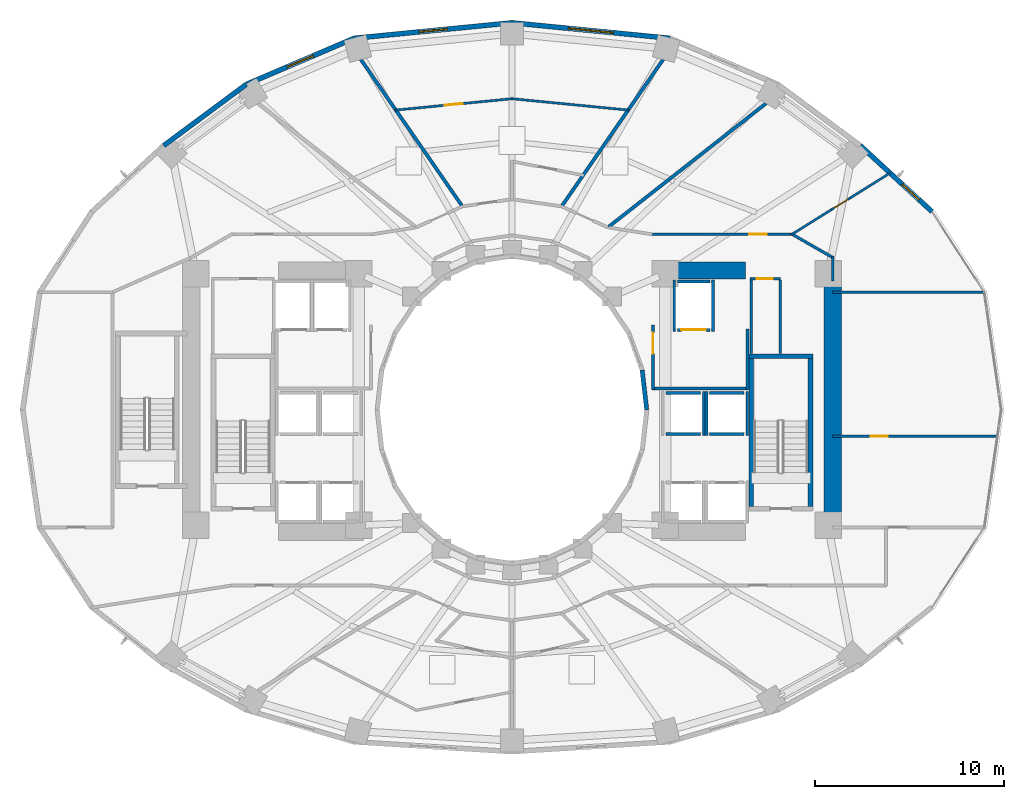
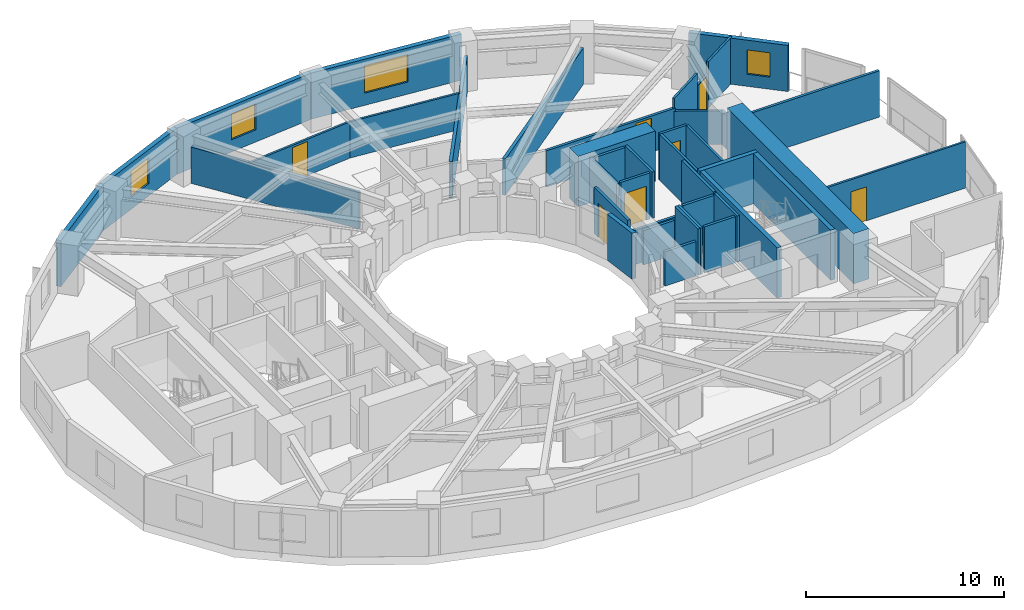
# One storey, part 10 of 14: 41 walls, 7 doors, 4 windows, 11 openings.
"""IFC4 building model written with IfcOpenShell, lengths in metres."""

from ifc_helpers import new_model, si_unit, direction, frame, frame_2d, origin, place, context, subcontext, project, spatial, rectangle, extrude, material, layer, layer_set, type_object, element, fill, save


model = new_model("IFC4")

# Units and contexts
model_context = context("Model", 3, precision=1e-05, world=origin(), true_north=direction((0.0, 1.0)))
body_context = subcontext(model_context, "Body", "Model", "MODEL_VIEW")
ifc_project = project(units=[si_unit("LENGTHUNIT", "METRE"), si_unit("AREAUNIT", "SQUARE_METRE"), si_unit("VOLUMEUNIT", "CUBIC_METRE"), si_unit("PLANEANGLEUNIT", "RADIAN"), si_unit("MASSUNIT", "GRAM", prefix="KILO")], contexts=[model_context])

# Site, building, storey
site_placement = place(None, origin())
site = spatial("IfcSite", under=ifc_project, at=site_placement, CompositionType="ELEMENT")
building_placement = place(site_placement, origin())
building = spatial("IfcBuilding", under=site, at=building_placement, Name="Solvane Sanctuary Tower", CompositionType="ELEMENT")
storey_placement = place(building_placement, frame((0.0, 0.0, 36.89990234375)))
storey = spatial("IfcBuildingStorey", under=building, at=storey_placement, Name="L10", CompositionType="ELEMENT", Elevation=36.89990234375)

# Walls
ifc_material_1 = material(Name="Concrete C70/85", Category="concrete")
ifc_layer_1 = layer(ifc_material_1, 0.89990234375, Name="Concrete C70/85")
ifc_layer_set_1 = layer_set([ifc_layer_1], Name="Concrete C70/85")
wall_type_1 = type_object("IfcWallType", Name="Wall W-CORE-900", PredefinedType="SHEAR", material=ifc_layer_set_1)
wall_1_placement = place(storey_placement, frame((48.949951171875, 17.050048828125, 0.0), z_axis=(0.0, 0.0, 1.0), x_axis=(0.0, 1.0, 0.0)))
element("IfcWall", 1, at=wall_1_placement, inside=storey, type_object=wall_type_1, Name="L10 Core Shear Wall EC-E", PredefinedType="SHEAR", context=body_context, shape_type="SweptSolid", body=[
    extrude(rectangle(XDim=12.800048828125, YDim=0.89990234375, at=frame_2d((6.39990234375, 0.0))), origin(), (0.0, 0.0, 1.0), 3.10009765625),
])
wall_2_placement = place(storey_placement, frame((39.85009765625, 30.35009765625, 0.0), z_axis=(0.0, 0.0, 1.0), x_axis=(1.0, 0.0, 0.0)))
element("IfcWall", 2, at=wall_2_placement, inside=storey, type_object=wall_type_1, Name="L10 Core Shear Wall EC-N", PredefinedType="SHEAR", context=body_context, shape_type="SweptSolid", body=[
    extrude(rectangle(XDim=4.5, YDim=0.89990234375, at=frame_2d((2.25, 0.0))), origin(), (0.0, 0.0, 1.0), 3.10009765625),
])
ifc_material_2 = material(Name="Acoustic Gypsum Partition Board")
ifc_layer_2 = layer(ifc_material_2, 0.14990234375, Name="Acoustic Gypsum Partition Board")
ifc_layer_set_2 = layer_set([ifc_layer_2], Name="Acoustic Gypsum Partition Board")
wall_type_2 = type_object("IfcWallType", Name="Wall W-CORR-150", PredefinedType="PARTITIONING", material=ifc_layer_set_2)
wall_3_placement = place(storey_placement, frame((39.39990234375, 24.1201171875, 0.0), z_axis=(0.0, 0.0, 1.0), x_axis=(1.0, 0.0, 0.0)))
element("IfcWall", 3, at=wall_3_placement, inside=storey, type_object=wall_type_2, Name="L10 East Firefighting Lobby South Wall", PredefinedType="PARTITIONING", context=body_context, shape_type="SweptSolid", body=[
    extrude(rectangle(XDim=5.080078125, YDim=0.14990234375, at=frame_2d((2.5400390625, 0.0))), origin(), (0.0, 0.0, 1.0), 2.1201171875),
])
wall_4_placement = place(storey_placement, frame((44.449951171875, 24.080078125, 0.0), z_axis=(0.0, 0.0, 1.0), x_axis=(0.0, 1.0, 0.0)))
element("IfcWall", 4, at=wall_4_placement, inside=storey, type_object=wall_type_2, Name="L10 East Firefighting Lobby East Wall", PredefinedType="PARTITIONING", context=body_context, shape_type="SweptSolid", body=[
    extrude(rectangle(XDim=3.199951171875, YDim=0.14990234375, at=frame_2d((1.60009765625, 0.0))), origin(), (0.0, 0.0, 1.0), 2.85498046875),
])

# Wall, opening, door
wall_5_placement = place(storey_placement, frame((39.449951171875, 24.080078125, 0.0), z_axis=(0.0, 0.0, 1.0), x_axis=(0.0, 1.0, 0.0)))
wall_5 = element("IfcWall", 5, at=wall_5_placement, inside=storey, type_object=wall_type_2, Name="L10 East Firefighting Lobby West Wall", PredefinedType="PARTITIONING", context=body_context, shape_type="SweptSolid", body=[
    extrude(rectangle(XDim=3.39990234375, YDim=0.14990234375, at=frame_2d((1.699951171875, 0.0))), origin(), (0.0, 0.0, 1.0), 2.85498046875),
])
opening_1_placement = place(wall_5_placement, frame((1.893798828125, 0.0, 0.0)))
opening_1 = element("IfcOpeningElement", 6, at=opening_1_placement, cuts=wall_5, Name="Opening D-L10-05", PredefinedType="OPENING", context=body_context, shape_type="SweptSolid", body=[
    extrude(rectangle(XDim=1.10009765625, YDim=2.10009765625, at=frame_2d((0.550048828125, 1.050048828125))), frame((0.0, 0.0849609375, 0.0), z_axis=(0.0, -1.0, 0.0), x_axis=(1.0, 0.0, 0.0)), (0.0, 0.0, 1.0), 0.169921875),
])
ifc_material_3 = material(Name="Architectural Stainless Steel 316", Category="steel")
door_type_1 = type_object("IfcDoorType", Name="Door D-FFL", OperationType="NOTDEFINED", PredefinedType="DOOR", material=ifc_material_3)
door_1_placement = place(opening_1_placement, origin())
door_1 = element("IfcDoor", 7, at=door_1_placement, inside=storey, type_object=door_type_1, Name="L10 East Firefighting Lobby Fire Door", OperationType="SINGLE_SWING_LEFT", OverallHeight=2.10009765625, OverallWidth=1.10009765625, PredefinedType="DOOR", context=body_context, shape_type="SweptSolid", body=[
    extrude(rectangle(XDim=1.10009765625, YDim=2.10009765625, at=frame_2d((0.550048828125, 1.050048828125))), frame((0.0, 0.02490234375, 0.0), z_axis=(0.0, -1.0, 0.0), x_axis=(1.0, 0.0, 0.0)), (0.0, 0.0, 1.0), 0.050048828125),
])
fill(opening_1, door_1)

# Walls
wall_6_placement = place(storey_placement, frame((48.949951171875, 29.211669921875, 0.0), z_axis=(0.0, 0.0, 1.0), x_axis=(1.0, 0.0, 0.0)))
element("IfcWall", 8, at=wall_6_placement, inside=storey, type_object=wall_type_2, Name="L10 East Shoulder North Wall", PredefinedType="PARTITIONING", context=body_context, shape_type="SweptSolid", body=[
    extrude(rectangle(XDim=8.036376953125, YDim=0.14990234375, at=frame_2d((4.01806640625, 0.0))), origin(), (0.0, 0.0, 1.0), 2.85498046875),
])
wall_7_placement = place(storey_placement, frame((48.949951171875, 29.800048828125, 0.0), z_axis=(0.0, 0.0, 1.0), x_axis=(0.0, 1.0, 0.0)))
element("IfcWall", 9, at=wall_7_placement, inside=storey, type_object=wall_type_2, Name="L10 NE Corner Closer 1", PredefinedType="PARTITIONING", context=body_context, shape_type="SweptSolid", body=[
    extrude(rectangle(XDim=1.2900390625, YDim=0.14990234375, at=frame_2d((0.64501953125, 0.0))), origin(), (0.0, 0.0, 1.0), 2.069091796875),
])

# Wall, opening, door
wall_8_placement = place(storey_placement, frame((39.330078125, 32.280029296875, 0.0), z_axis=(0.0, 0.0, 1.0), x_axis=(1.0, 0.0, 0.0)))
wall_8 = element("IfcWall", 10, at=wall_8_placement, inside=storey, type_object=wall_type_2, Name="L10 NE Corner Corridor Wall", PredefinedType="PARTITIONING", context=body_context, shape_type="SweptSolid", body=[
    extrude(rectangle(XDim=7.52001953125, YDim=0.14990234375, at=frame_2d((3.760009765625, 0.0))), origin(), (0.0, 0.0, 1.0), 2.237060546875),
])
opening_2_placement = place(wall_8_placement, frame((5.219970703125, 0.0, 0.0)))
opening_2 = element("IfcOpeningElement", 11, at=opening_2_placement, cuts=wall_8, Name="Opening D-L10-12", PredefinedType="OPENING", context=body_context, shape_type="SweptSolid", body=[
    extrude(rectangle(XDim=0.89990234375, YDim=2.10009765625, at=frame_2d((0.449951171875, 1.050048828125))), frame((0.0, 0.0849609375, 0.0), z_axis=(0.0, -1.0, 0.0), x_axis=(1.0, 0.0, 0.0)), (0.0, 0.0, 1.0), 0.169921875),
])
ifc_material_4 = material(Name="Engineered Tropical Hardwood", Category="wood")
door_type_2 = type_object("IfcDoorType", Name="Door D-WET-900", OperationType="NOTDEFINED", PredefinedType="DOOR", material=ifc_material_4)
door_2_placement = place(opening_2_placement, origin())
door_2 = element("IfcDoor", 12, at=door_2_placement, inside=storey, type_object=door_type_2, Name="L10 NE Corner Salon Door", OperationType="SINGLE_SWING_RIGHT", OverallHeight=2.10009765625, OverallWidth=0.89990234375, PredefinedType="DOOR", context=body_context, shape_type="SweptSolid", body=[
    extrude(rectangle(XDim=0.89990234375, YDim=2.10009765625, at=frame_2d((0.449951171875, 1.050048828125))), frame((0.0, 0.02490234375, 0.0), z_axis=(0.0, -1.0, 0.0), x_axis=(1.0, 0.0, 0.0)), (0.0, 0.0, 1.0), 0.050048828125),
])
fill(opening_2, door_2)

# Wall
wall_9_placement = place(storey_placement, frame((46.756591796875, 32.3046875, 0.0), z_axis=(0.0, 0.0, 1.0), x_axis=(0.867991349648, -0.496579315857, 0.0)))
element("IfcWall", 13, at=wall_9_placement, inside=storey, type_object=wall_type_2, Name="L10 NE Corner Wing Wall", PredefinedType="PARTITIONING", context=body_context, shape_type="SweptSolid", body=[
    extrude(rectangle(XDim=2.56689453125, YDim=0.14990234375, at=frame_2d((1.283447265625, 0.0))), origin(), (0.0, 0.0, 1.0), 2.069091796875),
])

# Wall, opening, window
ifc_material_5 = material(Name="Precast concrete C40/50", Category="concrete")
ifc_layer_3 = layer(ifc_material_5, 0.260009765625, Name="Precast concrete C40/50")
ifc_layer_set_3 = layer_set([ifc_layer_3], Name="Precast concrete C40/50")
wall_type_3 = type_object("IfcWallType", Name="Wall W-EXT-250", PredefinedType="STANDARD", material=ifc_layer_set_3)
wall_10_placement = place(storey_placement, frame((54.19384765625, 33.4755859375, 0.0), z_axis=(0.0, 0.0, 1.0), x_axis=(-0.735655109293, 0.67735630223, 0.0)))
wall_10 = element("IfcWall", 14, at=wall_10_placement, inside=storey, type_object=wall_type_3, Name="L10 Ceramic-Printed Facade Wall 02", PredefinedType="STANDARD", context=body_context, shape_type="SweptSolid", body=[
    extrude(rectangle(XDim=5.15087890625, YDim=0.260009765625, at=frame_2d((2.575439453125, 0.0))), origin(), (0.0, 0.0, 1.0), 2.85009765625),
])
opening_3_placement = place(wall_10_placement, frame((0.9287109375, 0.0, 0.75)))
opening_3 = element("IfcOpeningElement", 15, at=opening_3_placement, cuts=wall_10, Name="Opening WN-OPER-1200", PredefinedType="OPENING", context=body_context, shape_type="SweptSolid", body=[
    extrude(rectangle(XDim=1.199951171875, YDim=1.5, at=frame_2d((0.60009765625, 0.75))), frame((0.0, 0.139892578125, 0.0), z_axis=(0.0, -1.0, 0.0), x_axis=(1.0, 0.0, 0.0)), (0.0, 0.0, 1.0), 0.280029296875),
])
ifc_material_6 = material(Name="Dark Ceramic-Fritted Low-E Glass", Category="glass")
window_type_1 = type_object("IfcWindowType", Name="Window WN-OPER-1200", PartitioningType="SINGLE_PANEL", PredefinedType="WINDOW", material=ifc_material_6)
window_1_placement = place(opening_3_placement, origin())
window_1 = element("IfcWindow", 16, at=window_1_placement, inside=storey, type_object=window_type_1, Name="L10 Operable Facade Window 02", OverallHeight=1.5, OverallWidth=1.199951171875, PartitioningType="SINGLE_PANEL", PredefinedType="WINDOW", context=body_context, shape_type="SweptSolid", body=[
    extrude(rectangle(XDim=1.199951171875, YDim=1.5, at=frame_2d((0.60009765625, 0.75))), frame((0.0, 0.030029296875, 0.0), z_axis=(0.0, -1.0, 0.0), x_axis=(1.0, 0.0, 0.0)), (0.0, 0.0, 1.0), 0.06005859375),
])
fill(opening_3, window_1)

wall_11_placement = place(storey_placement, frame((40.331787109375, 42.63623046875, 0.0), z_axis=(0.0, 0.0, 1.0), x_axis=(-0.995247718352, 0.097375454379, 0.0)))
wall_11 = element("IfcWall", 17, at=wall_11_placement, inside=storey, type_object=wall_type_3, Name="L10 Ceramic-Printed Facade Wall 05", PredefinedType="STANDARD", context=body_context, shape_type="SweptSolid", body=[
    extrude(rectangle(XDim=8.37158203125, YDim=0.260009765625, at=frame_2d((4.185791015625, 0.0))), origin(), (0.0, 0.0, 1.0), 2.85009765625),
])
opening_4_placement = place(wall_11_placement, frame((2.985595703125, 0.0, 0.75)))
opening_4 = element("IfcOpeningElement", 18, at=opening_4_placement, cuts=wall_11, Name="Opening WN-RIB-2400", PredefinedType="OPENING", context=body_context, shape_type="SweptSolid", body=[
    extrude(rectangle(XDim=2.39990234375, YDim=1.699951171875, at=frame_2d((1.199951171875, 0.85009765625))), frame((0.0, 0.139892578125, 0.0), z_axis=(0.0, -1.0, 0.0), x_axis=(1.0, 0.0, 0.0)), (0.0, 0.0, 1.0), 0.280029296875),
])
window_type_2 = type_object("IfcWindowType", Name="Window WN-RIB-2400", PartitioningType="SINGLE_PANEL", PredefinedType="WINDOW", material=ifc_material_6)
window_2_placement = place(opening_4_placement, origin())
window_2 = element("IfcWindow", 19, at=window_2_placement, inside=storey, type_object=window_type_2, Name="L10 Operable Facade Window 05", OverallHeight=1.699951171875, OverallWidth=2.39990234375, PartitioningType="SINGLE_PANEL", PredefinedType="WINDOW", context=body_context, shape_type="SweptSolid", body=[
    extrude(rectangle(XDim=2.39990234375, YDim=1.699951171875, at=frame_2d((1.199951171875, 0.85009765625))), frame((0.0, 0.030029296875, 0.0), z_axis=(0.0, -1.0, 0.0), x_axis=(1.0, 0.0, 0.0)), (0.0, 0.0, 1.0), 0.06005859375),
])
fill(opening_4, window_2)

wall_12_placement = place(storey_placement, frame((32.0, 43.451416015625, 0.0), z_axis=(0.0, 0.0, 1.0), x_axis=(-0.995247718352, -0.097375454379, 0.0)))
wall_12 = element("IfcWall", 20, at=wall_12_placement, inside=storey, type_object=wall_type_3, Name="L10 Ceramic-Printed Facade Wall 06", PredefinedType="STANDARD", context=body_context, shape_type="SweptSolid", body=[
    extrude(rectangle(XDim=8.37158203125, YDim=0.260009765625, at=frame_2d((4.185791015625, 0.0))), origin(), (0.0, 0.0, 1.0), 2.85009765625),
])
opening_5_placement = place(wall_12_placement, frame((3.435791015625, 0.0, 0.75)))
opening_5 = element("IfcOpeningElement", 21, at=opening_5_placement, cuts=wall_12, Name="Opening WN-OPER-1500", PredefinedType="OPENING", context=body_context, shape_type="SweptSolid", body=[
    extrude(rectangle(XDim=1.5, YDim=1.60009765625, at=frame_2d((0.75, 0.800048828125))), frame((0.0, 0.139892578125, 0.0), z_axis=(0.0, -1.0, 0.0), x_axis=(1.0, 0.0, 0.0)), (0.0, 0.0, 1.0), 0.280029296875),
])
window_type_3 = type_object("IfcWindowType", Name="Window WN-OPER-1500", PartitioningType="SINGLE_PANEL", PredefinedType="WINDOW", material=ifc_material_6)
window_3_placement = place(opening_5_placement, origin())
window_3 = element("IfcWindow", 22, at=window_3_placement, inside=storey, type_object=window_type_3, Name="L10 Operable Facade Window 06", OverallHeight=1.60009765625, OverallWidth=1.5, PartitioningType="SINGLE_PANEL", PredefinedType="WINDOW", context=body_context, shape_type="SweptSolid", body=[
    extrude(rectangle(XDim=1.5, YDim=1.60009765625, at=frame_2d((0.75, 0.800048828125))), frame((0.0, 0.030029296875, 0.0), z_axis=(0.0, -1.0, 0.0), x_axis=(1.0, 0.0, 0.0)), (0.0, 0.0, 1.0), 0.06005859375),
])
fill(opening_5, window_3)

wall_13_placement = place(storey_placement, frame((23.668212890625, 42.63623046875, 0.0), z_axis=(0.0, 0.0, 1.0), x_axis=(-0.919612132394, -0.39282760335, 0.0)))
wall_13 = element("IfcWall", 23, at=wall_13_placement, inside=storey, type_object=wall_type_3, Name="L10 Ceramic-Printed Facade Wall 07", PredefinedType="STANDARD", context=body_context, shape_type="SweptSolid", body=[
    extrude(rectangle(XDim=6.20947265625, YDim=0.260009765625, at=frame_2d((3.104736328125, 0.0))), origin(), (0.0, 0.0, 1.0), 2.85009765625),
])
opening_6_placement = place(wall_13_placement, frame((2.354736328125, 0.0, 0.75)))
opening_6 = element("IfcOpeningElement", 24, at=opening_6_placement, cuts=wall_13, Name="Opening WN-OPER-1500", PredefinedType="OPENING", context=body_context, shape_type="SweptSolid", body=[
    extrude(rectangle(XDim=1.5, YDim=1.60009765625, at=frame_2d((0.75, 0.800048828125))), frame((0.0, 0.139892578125, 0.0), z_axis=(0.0, -1.0, 0.0), x_axis=(1.0, 0.0, 0.0)), (0.0, 0.0, 1.0), 0.280029296875),
])
window_4_placement = place(opening_6_placement, origin())
window_4 = element("IfcWindow", 25, at=window_4_placement, inside=storey, type_object=window_type_3, Name="L10 Operable Facade Window 07", OverallHeight=1.60009765625, OverallWidth=1.5, PartitioningType="SINGLE_PANEL", PredefinedType="WINDOW", context=body_context, shape_type="SweptSolid", body=[
    extrude(rectangle(XDim=1.5, YDim=1.60009765625, at=frame_2d((0.75, 0.800048828125))), frame((0.0, 0.030029296875, 0.0), z_axis=(0.0, -1.0, 0.0), x_axis=(1.0, 0.0, 0.0)), (0.0, 0.0, 1.0), 0.06005859375),
])
fill(opening_6, window_4)

# Walls
wall_14_placement = place(storey_placement, frame((17.9580078125, 40.197021484375, 0.0), z_axis=(0.0, 0.0, 1.0), x_axis=(-0.803477531792, -0.595335078679, 0.0)))
element("IfcWall", 26, at=wall_14_placement, inside=storey, type_object=wall_type_3, Name="L10 Ceramic-Printed Facade Wall 08", PredefinedType="STANDARD", context=body_context, shape_type="SweptSolid", body=[
    extrude(rectangle(XDim=5.4296875, YDim=0.260009765625, at=frame_2d((2.71484375, 0.0))), origin(), (0.0, 0.0, 1.0), 2.85009765625),
])
ifc_layer_4 = layer(ifc_material_5, 0.22998046875, Name="Precast concrete C40/50")
ifc_layer_set_4 = layer_set([ifc_layer_4], Name="Precast concrete C40/50")
wall_type_4 = type_object("IfcWallType", Name="Wall W-EXT-SP220", PredefinedType="STANDARD", material=ifc_layer_set_4)
wall_15_placement = place(storey_placement, frame((39.1201171875, 23.0, 0.0), z_axis=(0.0, 0.0, 1.0), x_axis=(-0.114711713601, 0.993398823617, 0.0)))
element("IfcWall", 27, at=wall_15_placement, inside=storey, type_object=wall_type_4, Name="L10 Central Light-Well Wall 00", PredefinedType="STANDARD", context=body_context, shape_type="SweptSolid", body=[
    extrude(rectangle(XDim=2.115478515625, YDim=0.22998046875, at=frame_2d((1.0576171875, 0.0))), origin(), (0.0, 0.0, 1.0), 2.840087890625),
])

# Wall, opening, door
ifc_layer_5 = layer(ifc_material_2, 0.1201171875, Name="Acoustic Gypsum Partition Board")
ifc_layer_set_5 = layer_set([ifc_layer_5], Name="Acoustic Gypsum Partition Board")
wall_type_5 = type_object("IfcWallType", Name="Wall W-MOV-100", PredefinedType="MOVABLE", material=ifc_layer_set_5)
wall_16_placement = place(storey_placement, frame((48.949951171875, 21.60009765625, 0.0), z_axis=(0.0, 0.0, 1.0), x_axis=(1.0, 0.0, 0.0)))
wall_16 = element("IfcWall", 28, at=wall_16_placement, inside=storey, type_object=wall_type_5, Name="L10 East Suite Partition", PredefinedType="MOVABLE", context=body_context, shape_type="SweptSolid", body=[
    extrude(rectangle(XDim=8.668701171875, YDim=0.1201171875, at=frame_2d((4.33447265625, 0.0))), origin(), (0.0, 0.0, 1.0), 2.85498046875),
])
opening_7_placement = place(wall_16_placement, frame((2.0, 0.0, 0.0)))
opening_7 = element("IfcOpeningElement", 29, at=opening_7_placement, cuts=wall_16, Name="Opening D-L10-09", PredefinedType="OPENING", context=body_context, shape_type="SweptSolid", body=[
    extrude(rectangle(XDim=0.89990234375, YDim=2.10009765625, at=frame_2d((0.449951171875, 1.050048828125))), frame((0.0, 0.070068359375, 0.0), z_axis=(0.0, -1.0, 0.0), x_axis=(1.0, 0.0, 0.0)), (0.0, 0.0, 1.0), 0.14013671875),
])
door_3_placement = place(opening_7_placement, origin())
door_3 = element("IfcDoor", 30, at=door_3_placement, inside=storey, type_object=door_type_2, Name="L10 East Suite Internal Door", OperationType="SINGLE_SWING_LEFT", OverallHeight=2.10009765625, OverallWidth=0.89990234375, PredefinedType="DOOR", context=body_context, shape_type="SweptSolid", body=[
    extrude(rectangle(XDim=0.89990234375, YDim=2.10009765625, at=frame_2d((0.449951171875, 1.050048828125))), frame((0.0, 0.02490234375, 0.0), z_axis=(0.0, -1.0, 0.0), x_axis=(1.0, 0.0, 0.0)), (0.0, 0.0, 1.0), 0.050048828125),
])
fill(opening_7, door_3)

# Wall
wall_17_placement = place(storey_placement, frame((46.757568359375, 32.25341796875, 0.0), z_axis=(0.0, 0.0, 1.0), x_axis=(0.848408422278, 0.529342185177, 0.0)))
element("IfcWall", 31, at=wall_17_placement, inside=storey, type_object=wall_type_5, Name="L10 NE Corner Suite Partition", PredefinedType="MOVABLE", context=body_context, shape_type="SweptSolid", body=[
    extrude(rectangle(XDim=2.506591796875, YDim=0.1201171875, at=frame_2d((1.25341796875, 0.0))), origin(), (0.0, 0.0, 1.0), 2.85498046875),
])

# Wall, opening, door
wall_18_placement = place(storey_placement, frame((48.88427734375, 33.580322265625, 0.0), z_axis=(0.0, 0.0, 1.0), x_axis=(0.848396621262, 0.529361098903, 0.0)))
wall_18 = element("IfcWall", 32, at=wall_18_placement, inside=storey, type_object=wall_type_5, Name="L10 NE Corner Suite Partition", PredefinedType="MOVABLE", context=body_context, shape_type="SweptSolid", body=[
    extrude(rectangle(XDim=1.170166015625, YDim=0.1201171875, at=frame_2d((0.5849609375, 0.0))), origin(), (0.0, 0.0, 1.0), 2.110107421875),
])
opening_8_placement = place(wall_18_placement, frame((0.159912109375, 0.0, 0.0)))
opening_8 = element("IfcOpeningElement", 33, at=opening_8_placement, cuts=wall_18, Name="Opening D-L10-11", PredefinedType="OPENING", context=body_context, shape_type="SweptSolid", body=[
    extrude(rectangle(XDim=0.85009765625, YDim=2.050048828125, at=frame_2d((0.425048828125, 1.02490234375))), frame((0.0, 0.070068359375, 0.0), z_axis=(0.0, -1.0, 0.0), x_axis=(1.0, 0.0, 0.0)), (0.0, 0.0, 1.0), 0.14013671875),
])
door_type_3 = type_object("IfcDoorType", Name="Door D-RISER", OperationType="NOTDEFINED", PredefinedType="DOOR", material=ifc_material_3)
door_4_placement = place(opening_8_placement, origin())
door_4 = element("IfcDoor", 34, at=door_4_placement, inside=storey, type_object=door_type_3, Name="L10 NE Corner Suite Door", OperationType="SINGLE_SWING_LEFT", OverallHeight=2.050048828125, OverallWidth=0.85009765625, PredefinedType="DOOR", context=body_context, shape_type="SweptSolid", body=[
    extrude(rectangle(XDim=0.85009765625, YDim=2.050048828125, at=frame_2d((0.425048828125, 1.02490234375))), frame((0.0, 0.02490234375, 0.0), z_axis=(0.0, -1.0, 0.0), x_axis=(1.0, 0.0, 0.0)), (0.0, 0.0, 1.0), 0.050048828125),
])
fill(opening_8, door_4)

# Walls
wall_19_placement = place(storey_placement, frame((49.876953125, 34.19970703125, 0.0), z_axis=(0.0, 0.0, 1.0), x_axis=(0.848424873637, 0.529315816687, 0.0)))
element("IfcWall", 35, at=wall_19_placement, inside=storey, type_object=wall_type_5, Name="L10 NE Corner Suite Partition", PredefinedType="MOVABLE", context=body_context, shape_type="SweptSolid", body=[
    extrude(rectangle(XDim=2.50634765625, YDim=0.1201171875, at=frame_2d((1.253173828125, 0.0))), origin(), (0.0, 0.0, 1.0), 2.85498046875),
])
wall_20_placement = place(storey_placement, frame((38.189697265625, 38.835205078125, 0.0), z_axis=(0.0, 0.0, 1.0), x_axis=(-0.995257435484, 0.097276087063, 0.0)))
element("IfcWall", 36, at=wall_20_placement, inside=storey, type_object=wall_type_5, Name="L10 Suite Sitting Lounge Partition N2", PredefinedType="MOVABLE", context=body_context, shape_type="SweptSolid", body=[
    extrude(rectangle(XDim=6.229248046875, YDim=0.1201171875, at=frame_2d((3.11474609375, 0.0))), origin(), (0.0, 0.0, 1.0), 2.237060546875),
])

# Wall, opening, door
wall_21_placement = place(storey_placement, frame((32.010009765625, 39.441162109375, 0.0), z_axis=(0.0, 0.0, 1.0), x_axis=(-0.995257435484, -0.097276087063, 0.0)))
wall_21 = element("IfcWall", 37, at=wall_21_placement, inside=storey, type_object=wall_type_5, Name="L10 Suite Sitting Lounge Partition N2", PredefinedType="MOVABLE", context=body_context, shape_type="SweptSolid", body=[
    extrude(rectangle(XDim=6.229248046875, YDim=0.1201171875, at=frame_2d((3.11474609375, 0.0))), origin(), (0.0, 0.0, 1.0), 2.237060546875),
])
opening_9_placement = place(wall_21_placement, frame((2.6396484375, 0.0, 0.0)))
opening_9 = element("IfcOpeningElement", 38, at=opening_9_placement, cuts=wall_21, Name="Opening D-L10-17", PredefinedType="OPENING", context=body_context, shape_type="SweptSolid", body=[
    extrude(rectangle(XDim=0.949951171875, YDim=2.10009765625, at=frame_2d((0.47509765625, 1.050048828125))), frame((0.0, 0.070068359375, 0.0), z_axis=(0.0, -1.0, 0.0), x_axis=(1.0, 0.0, 0.0)), (0.0, 0.0, 1.0), 0.14013671875),
])
door_type_4 = type_object("IfcDoorType", Name="Door D-ROOM-950", OperationType="NOTDEFINED", PredefinedType="DOOR", material=ifc_material_4)
door_5_placement = place(opening_9_placement, origin())
door_5 = element("IfcDoor", 39, at=door_5_placement, inside=storey, type_object=door_type_4, Name="L10 Suite Sitting Lounge Door N2", OperationType="SINGLE_SWING_LEFT", OverallHeight=2.10009765625, OverallWidth=0.949951171875, PredefinedType="DOOR", context=body_context, shape_type="SweptSolid", body=[
    extrude(rectangle(XDim=0.949951171875, YDim=2.10009765625, at=frame_2d((0.47509765625, 1.050048828125))), frame((0.0, 0.02490234375, 0.0), z_axis=(0.0, -1.0, 0.0), x_axis=(1.0, 0.0, 0.0)), (0.0, 0.0, 1.0), 0.050048828125),
])
fill(opening_9, door_5)

# Walls
ifc_material_7 = material(Name="Concrete C50/60", Category="concrete")
ifc_layer_6 = layer(ifc_material_7, 0.14990234375, Name="Concrete C50/60")
ifc_layer_set_6 = layer_set([ifc_layer_6], Name="Concrete C50/60")
wall_type_6 = type_object("IfcWallType", Name="Wall W-SHAFT-150", PredefinedType="SOLIDWALL", material=ifc_layer_set_6)
for number, where, z_axis, x_axis, name in (
    (40, (42.43994140625, 21.719970703125, 0.0), (0.0, 0.0, 1.0), (1.0, 0.0, 0.0), "L10 PM-2 Lift Shaft Wall F"),
    (41, (42.43994140625, 23.8798828125, 0.0), (0.0, 0.0, 1.0), (1.0, 0.0, 0.0), "L10 PM-2 Lift Shaft Wall B"),
):
    element("IfcWall", number, at=place(storey_placement, frame(where, z_axis=z_axis, x_axis=x_axis)), inside=storey, type_object=wall_type_6, Name=name, PredefinedType="SOLIDWALL", context=body_context, shape_type="SweptSolid", body=[
        extrude(rectangle(XDim=1.820068359375, YDim=0.14990234375, at=frame_2d((0.91015625, 0.0))), origin(), (0.0, 0.0, 1.0), 2.85498046875),
    ])
for number, where, z_axis, x_axis, name in (
    (42, (42.27001953125, 21.639892578125, 0.0), (0.0, 0.0, 1.0), (0.0, 1.0, 0.0), "L10 PM-2 Lift Shaft Wall S1"),
    (43, (44.429931640625, 21.639892578125, 0.0), (0.0, 0.0, 1.0), (0.0, 1.0, 0.0), "L10 PM-2 Lift Shaft Wall S2"),
):
    element("IfcWall", number, at=place(storey_placement, frame(where, z_axis=z_axis, x_axis=x_axis)), inside=storey, type_object=wall_type_6, Name=name, PredefinedType="SOLIDWALL", context=body_context, shape_type="SweptSolid", body=[
        extrude(rectangle(XDim=2.320068359375, YDim=0.14990234375, at=frame_2d((1.16015625, 0.0))), origin(), (0.0, 0.0, 1.0), 2.85498046875),
    ])
for number, where, z_axis, x_axis, name in (
    (44, (40.139892578125, 21.719970703125, 0.0), (0.0, 0.0, 1.0), (1.0, 0.0, 0.0), "L10 PH-2 Lift Shaft Wall F"),
    (45, (40.139892578125, 23.8798828125, 0.0), (0.0, 0.0, 1.0), (1.0, 0.0, 0.0), "L10 PH-2 Lift Shaft Wall B"),
):
    element("IfcWall", number, at=place(storey_placement, frame(where, z_axis=z_axis, x_axis=x_axis)), inside=storey, type_object=wall_type_6, Name=name, PredefinedType="SOLIDWALL", context=body_context, shape_type="SweptSolid", body=[
        extrude(rectangle(XDim=1.820068359375, YDim=0.14990234375, at=frame_2d((0.91015625, 0.0))), origin(), (0.0, 0.0, 1.0), 2.1201171875),
    ])
wall_22_placement = place(storey_placement, frame((42.1298828125, 21.639892578125, 0.0), z_axis=(0.0, 0.0, 1.0), x_axis=(0.0, 1.0, 0.0)))
element("IfcWall", 46, at=wall_22_placement, inside=storey, type_object=wall_type_6, Name="L10 PH-2 Lift Shaft Wall S2", PredefinedType="SOLIDWALL", context=body_context, shape_type="SweptSolid", body=[
    extrude(rectangle(XDim=2.320068359375, YDim=0.14990234375, at=frame_2d((1.16015625, 0.0))), origin(), (0.0, 0.0, 1.0), 2.85498046875),
])

# Wall, opening, door
wall_23_placement = place(storey_placement, frame((40.739990234375, 27.219970703125, 0.0), z_axis=(0.0, 0.0, 1.0), x_axis=(1.0, 0.0, 0.0)))
wall_23 = element("IfcWall", 47, at=wall_23_placement, inside=storey, type_object=wall_type_6, Name="L10 FFL-2 Lift Shaft Wall F", PredefinedType="SOLIDWALL", context=body_context, shape_type="SweptSolid", body=[
    extrude(rectangle(XDim=1.719970703125, YDim=0.14990234375, at=frame_2d((0.85986328125, 0.0))), origin(), (0.0, 0.0, 1.0), 2.85498046875),
])
opening_10_placement = place(wall_23_placement, frame((0.2099609375, 0.0, 0.0)))
opening_10 = element("IfcOpeningElement", 48, at=opening_10_placement, cuts=wall_23, Name="Opening LD-L10-07", PredefinedType="OPENING", context=body_context, shape_type="SweptSolid", body=[
    extrude(rectangle(XDim=1.300048828125, YDim=2.10009765625, at=frame_2d((0.64990234375, 1.050048828125))), frame((0.0, 0.0849609375, 0.0), z_axis=(0.0, -1.0, 0.0), x_axis=(1.0, 0.0, 0.0)), (0.0, 0.0, 1.0), 0.169921875),
])
door_type_5 = type_object("IfcDoorType", Name="Door LD-FFL-1300", OperationType="NOTDEFINED", PredefinedType="DOOR", material=ifc_material_3)
door_6_placement = place(opening_10_placement, origin())
door_6 = element("IfcDoor", 49, at=door_6_placement, inside=storey, type_object=door_type_5, Name="L10 FFL-2 Lift Landing Door", OperationType="DOUBLE_DOOR_SLIDING", OverallHeight=2.10009765625, OverallWidth=1.300048828125, PredefinedType="DOOR", context=body_context, shape_type="SweptSolid", body=[
    extrude(rectangle(XDim=1.300048828125, YDim=2.10009765625, at=frame_2d((0.64990234375, 1.050048828125))), frame((0.0, 0.02490234375, 0.0), z_axis=(0.0, -1.0, 0.0), x_axis=(1.0, 0.0, 0.0)), (0.0, 0.0, 1.0), 0.050048828125),
])
fill(opening_10, door_6)

# Walls
wall_24_placement = place(storey_placement, frame((40.739990234375, 29.780029296875, 0.0), z_axis=(0.0, 0.0, 1.0), x_axis=(1.0, 0.0, 0.0)))
element("IfcWall", 50, at=wall_24_placement, inside=storey, type_object=wall_type_6, Name="L10 FFL-2 Lift Shaft Wall B", PredefinedType="SOLIDWALL", context=body_context, shape_type="SweptSolid", body=[
    extrude(rectangle(XDim=1.719970703125, YDim=0.14990234375, at=frame_2d((0.85986328125, 0.0))), origin(), (0.0, 0.0, 1.0), 2.85498046875),
])
for number, where, z_axis, x_axis, name in (
    (51, (40.570068359375, 27.139892578125, 0.0), (0.0, 0.0, 1.0), (0.0, 1.0, 0.0), "L10 FFL-2 Lift Shaft Wall S1"),
    (52, (42.6298828125, 27.139892578125, 0.0), (0.0, 0.0, 1.0), (0.0, 1.0, 0.0), "L10 FFL-2 Lift Shaft Wall S2"),
):
    element("IfcWall", number, at=place(storey_placement, frame(where, z_axis=z_axis, x_axis=x_axis)), inside=storey, type_object=wall_type_6, Name=name, PredefinedType="SOLIDWALL", context=body_context, shape_type="SweptSolid", body=[
        extrude(rectangle(XDim=2.72021484375, YDim=0.14990234375, at=frame_2d((1.360107421875, 0.0))), origin(), (0.0, 0.0, 1.0), 2.85498046875),
    ])
ifc_layer_7 = layer(ifc_material_7, 0.25, Name="Concrete C50/60")
ifc_layer_set_7 = layer_set([ifc_layer_7], Name="Concrete C50/60")
wall_type_7 = type_object("IfcWallType", Name="Wall W-SHAFT-250", PredefinedType="SOLIDWALL", material=ifc_layer_set_7)
wall_25_placement = place(storey_placement, frame((44.52490234375, 25.830078125, 0.0), z_axis=(0.0, 0.0, 1.0), x_axis=(1.0, 0.0, 0.0)))
element("IfcWall", 53, at=wall_25_placement, inside=storey, type_object=wall_type_7, Name="L10 ST-2 Load-Bearing Shaft Wall N", PredefinedType="SOLIDWALL", context=body_context, shape_type="SweptSolid", body=[
    extrude(rectangle(XDim=3.3701171875, YDim=0.25, at=frame_2d((1.68505859375, 0.0))), origin(), (0.0, 0.0, 1.0), 3.10009765625),
])
for number, where, z_axis, x_axis, name in (
    (54, (44.64990234375, 17.89501953125, 0.0), (0.0, 0.0, 1.0), (0.0, 1.0, 0.0), "L10 ST-2 Load-Bearing Shaft Wall W"),
    (55, (47.77001953125, 17.89501953125, 0.0), (0.0, 0.0, 1.0), (0.0, 1.0, 0.0), "L10 ST-2 Load-Bearing Shaft Wall E"),
):
    element("IfcWall", number, at=place(storey_placement, frame(where, z_axis=z_axis, x_axis=x_axis)), inside=storey, type_object=wall_type_7, Name=name, PredefinedType="SOLIDWALL", context=body_context, shape_type="SweptSolid", body=[
        extrude(rectangle(XDim=7.81005859375, YDim=0.25, at=frame_2d((3.905029296875, 0.0))), origin(), (0.0, 0.0, 1.0), 3.10009765625),
    ])
ifc_layer_8 = layer(ifc_material_2, 0.179931640625, Name="Acoustic Gypsum Partition Board")
ifc_layer_set_8 = layer_set([ifc_layer_8], Name="Acoustic Gypsum Partition Board")
wall_type_8 = type_object("IfcWallType", Name="Wall W-UNIT-180", PredefinedType="PARTITIONING", material=ifc_layer_set_8)
wall_26_placement = place(storey_placement, frame((37.1083984375, 32.6728515625, 0.0), z_axis=(0.0, 0.0, 1.0), x_axis=(0.78700868866, 0.616941912966, 0.0)))
element("IfcWall", 56, at=wall_26_placement, inside=storey, type_object=wall_type_8, Name="L10 Radial Compartment Wall 060", PredefinedType="PARTITIONING", context=body_context, shape_type="SweptSolid", body=[
    extrude(rectangle(XDim=10.5830078125, YDim=0.179931640625, at=frame_2d((5.29150390625, 0.0))), origin(), (0.0, 0.0, 1.0), 2.237060546875),
])
for number, where, z_axis, x_axis, name in (
    (57, (34.653076171875, 33.7958984375, 0.0), (0.0, 0.0, 1.0), (0.568631434817, 0.822592421153, 0.0), "L10 Radial Compartment Wall 075"),
    (58, (29.346923828125, 33.7958984375, 0.0), (0.0, 0.0, 1.0), (-0.568631434817, 0.822592421153, 0.0), "L10 Radial Compartment Wall 105"),
):
    element("IfcWall", number, at=place(storey_placement, frame(where, z_axis=z_axis, x_axis=x_axis)), inside=storey, type_object=wall_type_8, Name=name, PredefinedType="PARTITIONING", context=body_context, shape_type="SweptSolid", body=[
        extrude(rectangle(XDim=9.39404296875, YDim=0.179931640625, at=frame_2d((4.697021484375, 0.0))), origin(), (0.0, 0.0, 1.0), 2.237060546875),
    ])

# Wall, opening, door
ifc_layer_9 = layer(ifc_material_2, 0.139892578125, Name="Acoustic Gypsum Partition Board")
ifc_layer_set_9 = layer_set([ifc_layer_9], Name="Acoustic Gypsum Partition Board")
wall_type_9 = type_object("IfcWallType", Name="Wall W-WET-140", PredefinedType="PLUMBINGWALL", material=ifc_layer_set_9)
wall_27_placement = place(storey_placement, frame((44.580078125, 29.919921875, 0.0), z_axis=(0.0, 0.0, 1.0), x_axis=(1.0, 0.0, 0.0)))
wall_27 = element("IfcWall", 59, at=wall_27_placement, inside=storey, type_object=wall_type_9, Name="L10 Core Service Front Wall KE0S", PredefinedType="PLUMBINGWALL", context=body_context, shape_type="SweptSolid", body=[
    extrude(rectangle(XDim=1.599853515625, YDim=0.139892578125, at=frame_2d((0.7998046875, 0.0))), origin(), (0.0, 0.0, 1.0), 2.85498046875),
])
opening_11_placement = place(wall_27_placement, frame((0.35009765625, 0.0, 0.0)))
opening_11 = element("IfcOpeningElement", 60, at=opening_11_placement, cuts=wall_27, Name="Opening D-L10-07", PredefinedType="OPENING", context=body_context, shape_type="SweptSolid", body=[
    extrude(rectangle(XDim=0.85009765625, YDim=2.050048828125, at=frame_2d((0.425048828125, 1.02490234375))), frame((0.0, 0.079833984375, 0.0), z_axis=(0.0, -1.0, 0.0), x_axis=(1.0, 0.0, 0.0)), (0.0, 0.0, 1.0), 0.159912109375),
])
door_7_placement = place(opening_11_placement, origin())
door_7 = element("IfcDoor", 61, at=door_7_placement, inside=storey, type_object=door_type_3, Name="L10 Core Service Room Door KE0S-1", OperationType="SINGLE_SWING_LEFT", OverallHeight=2.050048828125, OverallWidth=0.85009765625, PredefinedType="DOOR", context=body_context, shape_type="SweptSolid", body=[
    extrude(rectangle(XDim=0.85009765625, YDim=2.050048828125, at=frame_2d((0.425048828125, 1.02490234375))), frame((0.0, 0.02490234375, 0.0), z_axis=(0.0, -1.0, 0.0), x_axis=(1.0, 0.0, 0.0)), (0.0, 0.0, 1.0), 0.050048828125),
])
fill(opening_11, door_7)

# Walls
for number, where, z_axis, x_axis, name in (
    (62, (44.639892578125, 25.97998046875, 0.0), (0.0, 0.0, 1.0), (0.0, 1.0, 0.0), "L10 Core Service Side Wall KE0S-1"),
    (63, (46.179931640625, 25.97998046875, 0.0), (0.0, 0.0, 1.0), (0.0, 1.0, 0.0), "L10 Core Service Side Wall KE0S-2"),
):
    element("IfcWall", number, at=place(storey_placement, frame(where, z_axis=z_axis, x_axis=x_axis)), inside=storey, type_object=wall_type_9, Name=name, PredefinedType="PLUMBINGWALL", context=body_context, shape_type="SweptSolid", body=[
        extrude(rectangle(XDim=3.880126953125, YDim=0.139892578125, at=frame_2d((1.93994140625, 0.0))), origin(), (0.0, 0.0, 1.0), 2.85498046875),
    ])

save(model, "model.ifc")
